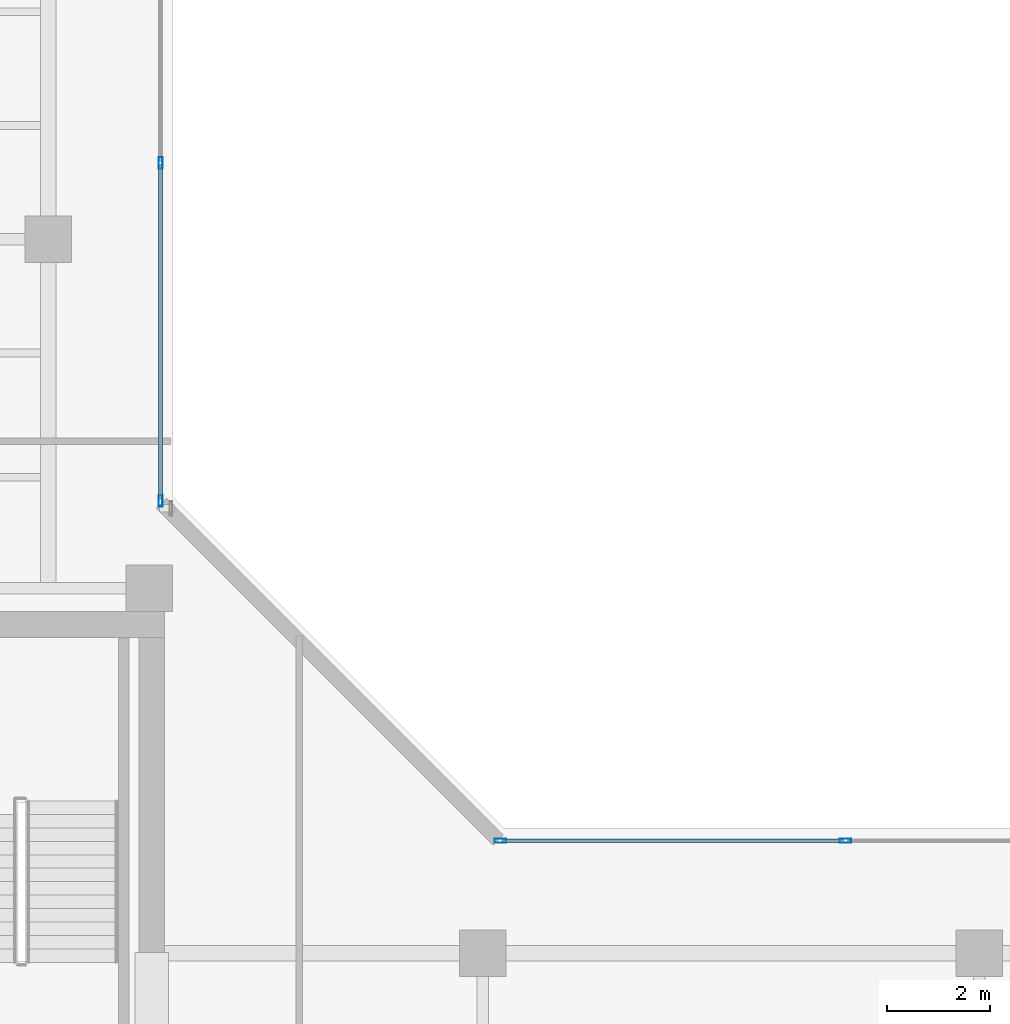
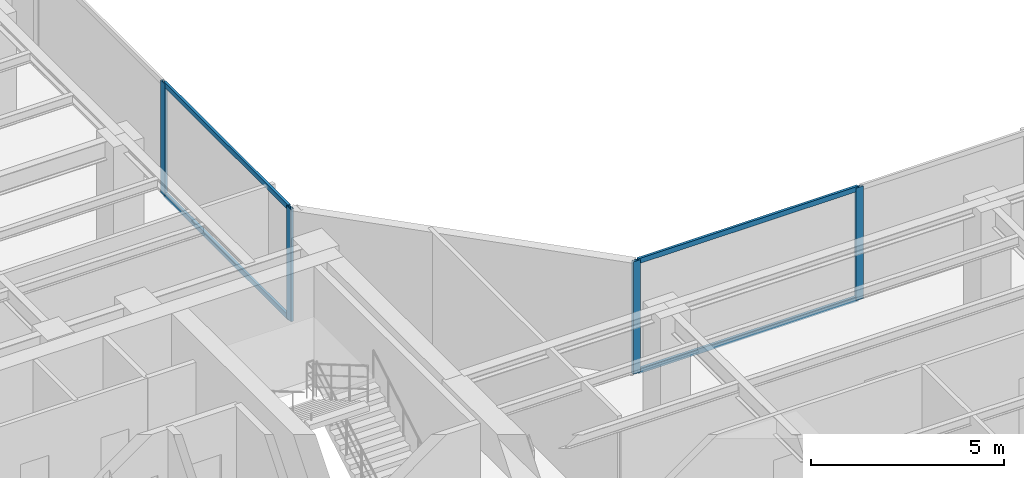
# One storey, part 10 of 24: 8 members, 2 elements without a shape of their own.
"""IFC4 building model written with IfcOpenShell, lengths in metres."""

from ifc_helpers import new_model, si_unit, direction, frame, origin, origin_with_axes, origin_2d, place, context, subcontext, project, spatial, hollow_rectangle, extrude, source, transform, mapped, material, layer, layer_set, material_profile, profile_set, type_object, element, aggregate, save


model = new_model("IFC4")

# Units and contexts
model_context = context("Model", 3, precision=1e-05, world=origin(), true_north=direction((0.0, 1.0)))
body_context = subcontext(model_context, "Body", "Model", "MODEL_VIEW")
ifc_project = project(units=[si_unit("LENGTHUNIT", "METRE"), si_unit("AREAUNIT", "SQUARE_METRE"), si_unit("VOLUMEUNIT", "CUBIC_METRE"), si_unit("PLANEANGLEUNIT", "RADIAN"), si_unit("MASSUNIT", "GRAM", prefix="KILO")], contexts=[model_context])

# Site, building, storey
site_placement = place(None, origin())
site = spatial("IfcSite", under=ifc_project, at=site_placement, CompositionType="ELEMENT")
building_placement = place(site_placement, origin())
building = spatial("IfcBuilding", under=site, at=building_placement, Name="Kolvaren Waterfront Exchange", CompositionType="ELEMENT")
storey_placement = place(building_placement, frame((0.0, 0.0, 331.199951171875)))
storey = spatial("IfcBuildingStorey", under=building, at=storey_placement, Name="L85", CompositionType="ELEMENT", Elevation=331.199951171875)

# Curtain wall, members
ifc_material_1 = material(Name="Anodised bronze aluminium 6063-T6", Category="aluminium")
ifc_layer = layer(ifc_material_1, 0.219970703125, Name="Anodised bronze aluminium 6063-T6")
ifc_layer_set = layer_set([ifc_layer], Name="Anodised bronze aluminium 6063-T6")
curtain_wall_type = type_object("IfcCurtainWallType", Name="ARC-CW-SYS1", PredefinedType="USERDEFINED", material=ifc_layer_set)
curtain_wall_1_placement = place(storey_placement, origin())
curtain_wall_1 = element("IfcCurtainWall", 1, at=curtain_wall_1_placement, inside=storey, type_object=curtain_wall_type, Name="L85 stick curtain wall CW1 (CW-L85-NE)", ObjectType="STICK CURTAIN WALL", PredefinedType="USERDEFINED")
ifc_material_2 = material(Name="Anodised aluminium 6063-T6", Category="aluminium")
ifc_material_profile_1 = material_profile(ifc_material_2, hollow_rectangle(XDim=0.080078125, YDim=0.219970703125, WallThickness=0.0048828125, at=origin_2d()), Name="ALU-MUL-220x80x5")
ifc_profile_set_1 = profile_set([ifc_material_profile_1], Name="Anodised aluminium 6063-T6")
member_type_1 = type_object("IfcMemberType", Name="ARC-CWM-220", PredefinedType="MULLION", material=ifc_profile_set_1)
shared_shape_1 = source(origin_with_axes(), body_context, "Body", "SweptSolid", [
    extrude(hollow_rectangle(XDim=0.080078125, YDim=0.219970703125, WallThickness=0.0048828125, at=origin_2d()), origin(), (0.0, 0.0, 1.0), 3.56005859375),
])
member_1_placement = place(storey_placement, frame((20.970458984375, 26.140380859375, 0.0), z_axis=(0.0, 0.0, 1.0), x_axis=(-1.0, 0.0, 0.0)))
member_1 = element("IfcMember", 2, at=member_1_placement, type_object=member_type_1, Name="CW1 mullion 1", PredefinedType="MULLION", context=body_context, shape_type="MappedRepresentation", body=[
    mapped(shared_shape_1, transform((0.0, 0.0, 0.0), x_axis=(1.0, 0.0, 0.0), y_axis=(0.0, 1.0, 0.0), z_axis=(0.0, 0.0, 1.0), scale=1.0)),
])
member_2_placement = place(storey_placement, frame((20.970458984375, 32.67919921875, 0.0), z_axis=(0.0, 0.0, 1.0), x_axis=(-1.0, 0.0, 0.0)))
member_2 = element("IfcMember", 3, at=member_2_placement, type_object=member_type_1, Name="CW1 mullion 2", PredefinedType="MULLION", context=body_context, shape_type="MappedRepresentation", body=[
    mapped(shared_shape_1, transform((0.0, 0.0, 0.0), x_axis=(1.0, 0.0, 0.0), y_axis=(0.0, 1.0, 0.0), z_axis=(0.0, 0.0, 1.0), scale=1.0)),
])

curtain_wall_2_placement = place(storey_placement, origin())
curtain_wall_2 = element("IfcCurtainWall", 4, at=curtain_wall_2_placement, inside=storey, type_object=curtain_wall_type, Name="L85 stick curtain wall CW1 (CW-L85-EN)", ObjectType="STICK CURTAIN WALL", PredefinedType="USERDEFINED")
member_3_placement = place(storey_placement, frame((27.54052734375, 19.570556640625, 0.0), z_axis=(0.0, 0.0, 1.0), x_axis=(0.0, 1.0, 0.0)))
member_3 = element("IfcMember", 5, at=member_3_placement, type_object=member_type_1, Name="CW1 mullion 1", PredefinedType="MULLION", context=body_context, shape_type="MappedRepresentation", body=[
    mapped(shared_shape_1, transform((0.0, 0.0, 0.0), x_axis=(1.0, 0.0, 0.0), y_axis=(0.0, 1.0, 0.0), z_axis=(0.0, 0.0, 1.0), scale=1.0)),
])
member_4_placement = place(storey_placement, frame((34.212646484375, 19.570556640625, 0.0), z_axis=(0.0, 0.0, 1.0), x_axis=(0.0, 1.0, 0.0)))
member_4 = element("IfcMember", 6, at=member_4_placement, type_object=member_type_1, Name="CW1 mullion 2", PredefinedType="MULLION", context=body_context, shape_type="MappedRepresentation", body=[
    mapped(shared_shape_1, transform((0.0, 0.0, 0.0), x_axis=(1.0, 0.0, 0.0), y_axis=(0.0, 1.0, 0.0), z_axis=(0.0, 0.0, 1.0), scale=1.0)),
])

# Member
ifc_material_profile_2 = material_profile(ifc_material_2, hollow_rectangle(XDim=0.074951171875, YDim=0.159912109375, WallThickness=0.00439453125, at=origin_2d()), Name="ALU-TRN-160x75x4.5")
ifc_profile_set_2 = profile_set([ifc_material_profile_2], Name="Anodised aluminium 6063-T6")
member_type_2 = type_object("IfcMemberType", Name="ARC-CWT-160", PredefinedType="USERDEFINED", material=ifc_profile_set_2)
shared_shape_2 = source(origin_with_axes(), body_context, "Body", "SweptSolid", [
    extrude(hollow_rectangle(XDim=0.074951171875, YDim=0.159912109375, WallThickness=0.00439453125, at=origin_2d()), origin(), (0.0, 0.0, 1.0), 6.458740234375),
])
member_5_placement = place(storey_placement, frame((20.970458984375, 26.180419921875, 0.03759765625), z_axis=(0.0, 1.0, 0.0), x_axis=(-1.0, 0.0, 0.0)))
member_5 = element("IfcMember", 7, at=member_5_placement, type_object=member_type_2, Name="CW1 transom 1.1", ObjectType="TRANSOM", PredefinedType="USERDEFINED", context=body_context, shape_type="MappedRepresentation", body=[
    mapped(shared_shape_2, transform((0.0, 0.0, 0.0), x_axis=(1.0, 0.0, 0.0), y_axis=(0.0, 1.0, 0.0), z_axis=(0.0, 0.0, 1.0), scale=1.0)),
])

member_6_placement = place(storey_placement, frame((20.970458984375, 26.180419921875, 3.5224609375), z_axis=(0.0, 1.0, 0.0), x_axis=(-1.0, 0.0, 0.0)))
member_6 = element("IfcMember", 8, at=member_6_placement, type_object=member_type_2, Name="CW1 transom 1.2", ObjectType="TRANSOM", PredefinedType="USERDEFINED", context=body_context, shape_type="MappedRepresentation", body=[
    mapped(shared_shape_2, transform((0.0, 0.0, 0.0), x_axis=(1.0, 0.0, 0.0), y_axis=(0.0, 1.0, 0.0), z_axis=(0.0, 0.0, 1.0), scale=1.0)),
])

aggregate(curtain_wall_1, [member_1, member_2, member_5, member_6])

shared_shape_3 = source(origin_with_axes(), body_context, "Body", "SweptSolid", [
    extrude(hollow_rectangle(XDim=0.074951171875, YDim=0.159912109375, WallThickness=0.00439453125, at=origin_2d()), origin(), (0.0, 0.0, 1.0), 6.592041015625),
])
member_7_placement = place(storey_placement, frame((27.58056640625, 19.570556640625, 0.03759765625), z_axis=(1.0, 0.0, 0.0), x_axis=(0.0, 1.0, 0.0)))
member_7 = element("IfcMember", 9, at=member_7_placement, type_object=member_type_2, Name="CW1 transom 1.1", ObjectType="TRANSOM", PredefinedType="USERDEFINED", context=body_context, shape_type="MappedRepresentation", body=[
    mapped(shared_shape_3, transform((0.0, 0.0, 0.0), x_axis=(1.0, 0.0, 0.0), y_axis=(0.0, 1.0, 0.0), z_axis=(0.0, 0.0, 1.0), scale=1.0)),
])

member_8_placement = place(storey_placement, frame((27.58056640625, 19.570556640625, 3.5224609375), z_axis=(1.0, 0.0, 0.0), x_axis=(0.0, 1.0, 0.0)))
member_8 = element("IfcMember", 10, at=member_8_placement, type_object=member_type_2, Name="CW1 transom 1.2", ObjectType="TRANSOM", PredefinedType="USERDEFINED", context=body_context, shape_type="MappedRepresentation", body=[
    mapped(shared_shape_3, transform((0.0, 0.0, 0.0), x_axis=(1.0, 0.0, 0.0), y_axis=(0.0, 1.0, 0.0), z_axis=(0.0, 0.0, 1.0), scale=1.0)),
])

aggregate(curtain_wall_2, [member_3, member_4, member_7, member_8])

save(model, "model.ifc")
